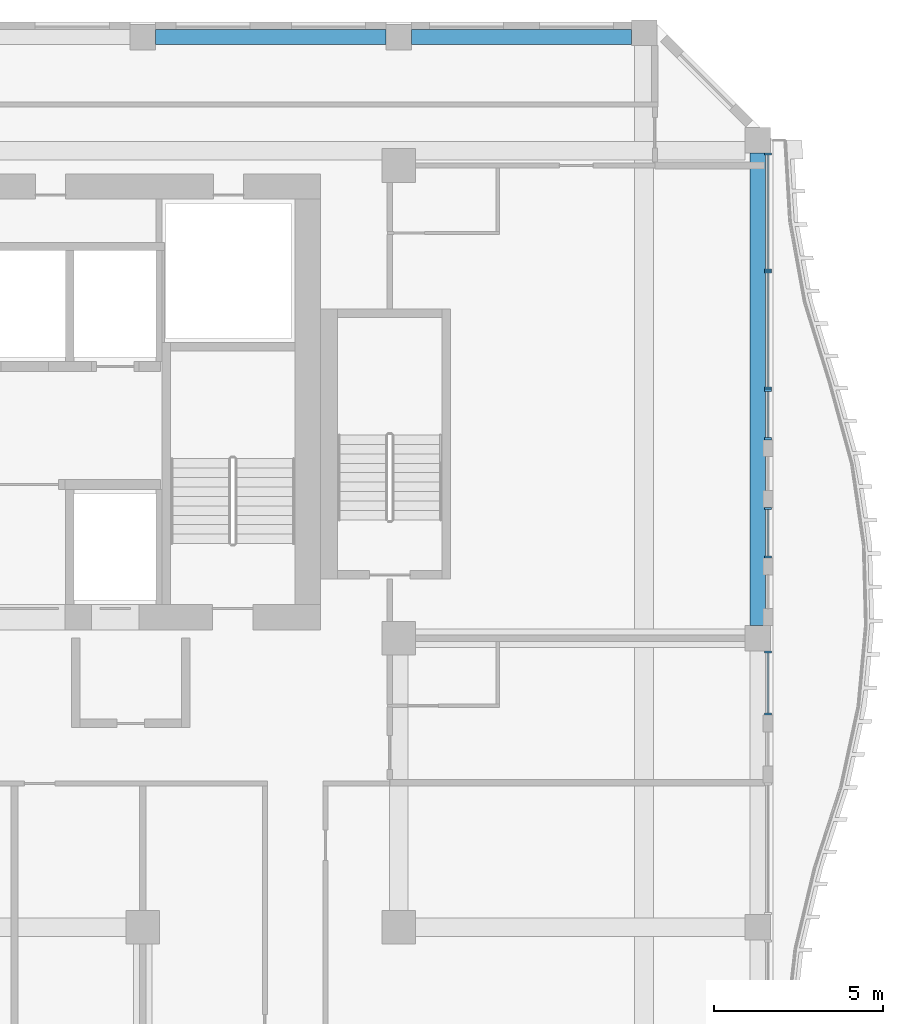
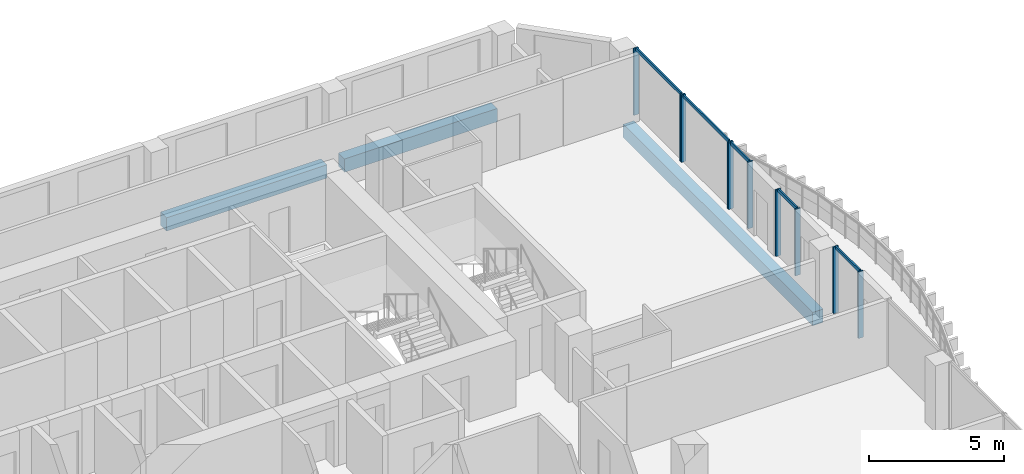
# One storey, part 8 of 22: 15 members, 3 beams, 5 elements without a shape of their own.
"""IFC4 building model written with IfcOpenShell, lengths in metres."""

from ifc_helpers import new_model, si_unit, direction, frame, origin, origin_2d, place, context, subcontext, project, spatial, rectangle, extrude, source, transform, mapped, material, material_profile, profile_set, type_object, element, aggregate, save


model = new_model("IFC4")

# Units and contexts
model_context = context("Model", 3, precision=1e-05, world=origin(), true_north=direction((0.0, 1.0)))
body_context = subcontext(model_context, "Body", "Model", "MODEL_VIEW")
ifc_project = project(units=[si_unit("LENGTHUNIT", "METRE"), si_unit("AREAUNIT", "SQUARE_METRE"), si_unit("VOLUMEUNIT", "CUBIC_METRE"), si_unit("PLANEANGLEUNIT", "RADIAN"), si_unit("MASSUNIT", "GRAM", prefix="KILO")], contexts=[model_context])

# Site, building, storey
site_placement = place(None, origin())
site = spatial("IfcSite", under=ifc_project, at=site_placement, CompositionType="ELEMENT")
building_placement = place(site_placement, origin())
building = spatial("IfcBuilding", under=site, at=building_placement, Name="Kilnfold Tower and Market Hall", CompositionType="ELEMENT")
storey_placement = place(building_placement, frame((0.0, 0.0, 220.300048828125)))
storey = spatial("IfcBuildingStorey", under=building, at=storey_placement, Name="L54", CompositionType="ELEMENT", Elevation=220.300048828125)

# Beams
ifc_material_1 = material(Name="Concrete C45", Category="concrete")
ifc_material_profile_1 = material_profile(ifc_material_1, rectangle(XDim=0.449951171875, YDim=0.60009765625, at=origin_2d()), Name="RC 450x600")
ifc_profile_set_1 = profile_set([ifc_material_profile_1], Name="Concrete C45")
beam_type = type_object("IfcBeamType", Name="EDGE BEAM 450X600 C45", PredefinedType="BEAM", material=ifc_profile_set_1)
shared_shape_1 = source(origin(), body_context, "Body", "SweptSolid", [
    extrude(rectangle(XDim=0.449951171875, YDim=0.60009765625, at=origin_2d()), origin(), (0.0, 0.0, 1.0), 6.83349609375),
])
beam_1_placement = place(storey_placement, frame((12.958251953125, 25.800048828125, -0.580078125), z_axis=(1.0, 0.0, 0.0), x_axis=(0.0, 1.0, 0.0)))
element("IfcBeam", 1, at=beam_1_placement, inside=storey, type_object=beam_type, Name="Beam EB600-B6.58", PredefinedType="BEAM", context=body_context, shape_type="MappedRepresentation", body=[
    mapped(shared_shape_1, transform((0.0, 0.0, 0.0))),
])
shared_shape_2 = source(origin(), body_context, "Body", "SweptSolid", [
    extrude(rectangle(XDim=0.449951171875, YDim=0.60009765625, at=origin_2d()), origin(), (0.0, 0.0, 1.0), 6.51513671875),
])
beam_2_placement = place(storey_placement, frame((20.541748046875, 25.800048828125, -0.580078125), z_axis=(1.0, 0.0, 0.0), x_axis=(0.0, 1.0, 0.0)))
element("IfcBeam", 2, at=beam_2_placement, inside=storey, type_object=beam_type, Name="Beam EB600-B6.59", PredefinedType="BEAM", context=body_context, shape_type="MappedRepresentation", body=[
    mapped(shared_shape_2, transform((0.0, 0.0, 0.0))),
])
shared_shape_3 = source(origin(), body_context, "Body", "SweptSolid", [
    extrude(rectangle(XDim=0.449951171875, YDim=0.60009765625, at=origin_2d()), origin(), (0.0, 0.0, 1.0), 14.0),
])
beam_3_placement = place(storey_placement, frame((30.800048828125, 8.375, -0.580078125), z_axis=(0.0, 1.0, 0.0), x_axis=(-1.0, 0.0, 0.0)))
element("IfcBeam", 3, at=beam_3_placement, inside=storey, type_object=beam_type, Name="Beam EB600-B6.74", PredefinedType="BEAM", context=body_context, shape_type="MappedRepresentation", body=[
    mapped(shared_shape_3, transform((0.0, 0.0, 0.0))),
])

# Curtain wall, members
ifc_material_2 = material(Name="Aluminium and double glazing", Category="aluminium")
curtain_wall_type = type_object("IfcCurtainWallType", Name="CW GARDEN HOTEL WINTER GARDEN", PredefinedType="NOTDEFINED", material=ifc_material_2)
curtain_wall_1_placement = place(storey_placement, origin())
curtain_wall_1 = element("IfcCurtainWall", 4, at=curtain_wall_1_placement, inside=storey, type_object=curtain_wall_type, Name="Curtain wall CW5 L54 E", PredefinedType="NOTDEFINED")
ifc_material_3 = material(Name="Aluminium", Category="aluminium")
ifc_material_profile_2 = material_profile(ifc_material_3, rectangle(XDim=0.06494140625, YDim=0.2099609375, at=origin_2d()), Name="MULLION 65x210")
ifc_profile_set_2 = profile_set([ifc_material_profile_2], Name="Aluminium")
member_type_1 = type_object("IfcMemberType", Name="MULLION 65X210", PredefinedType="MULLION", material=ifc_profile_set_2)
shared_shape_4 = source(origin(), body_context, "Body", "SweptSolid", [
    extrude(rectangle(XDim=0.06494140625, YDim=0.2099609375, at=origin_2d()), origin(), (0.0, 0.0, 1.0), 3.0),
])
member_1_placement = place(storey_placement, frame((31.10009765625, 5.751220703125, 0.0), z_axis=(0.0, 0.0, 1.0), x_axis=(0.0, 1.0, 0.0)))
member_1 = element("IfcMember", 5, at=member_1_placement, type_object=member_type_1, Name="CW5 mullion 1", PredefinedType="MULLION", context=body_context, shape_type="MappedRepresentation", body=[
    mapped(shared_shape_4, transform((0.0, 0.0, 0.0))),
])
member_2_placement = place(storey_placement, frame((31.10009765625, 7.592529296875, 0.0), z_axis=(0.0, 0.0, 1.0), x_axis=(0.0, 1.0, 0.0)))
member_2 = element("IfcMember", 6, at=member_2_placement, type_object=member_type_1, Name="CW5 mullion 2", PredefinedType="MULLION", context=body_context, shape_type="MappedRepresentation", body=[
    mapped(shared_shape_4, transform((0.0, 0.0, 0.0))),
])

curtain_wall_2_placement = place(storey_placement, origin())
curtain_wall_2 = element("IfcCurtainWall", 7, at=curtain_wall_2_placement, inside=storey, type_object=curtain_wall_type, Name="Curtain wall CW5 L54 E", PredefinedType="NOTDEFINED")
member_3_placement = place(storey_placement, frame((31.10009765625, 10.407470703125, 0.0), z_axis=(0.0, 0.0, 1.0), x_axis=(0.0, 1.0, 0.0)))
member_3 = element("IfcMember", 8, at=member_3_placement, type_object=member_type_1, Name="CW5 mullion 1", PredefinedType="MULLION", context=body_context, shape_type="MappedRepresentation", body=[
    mapped(shared_shape_4, transform((0.0, 0.0, 0.0))),
])
member_4_placement = place(storey_placement, frame((31.10009765625, 11.842529296875, 0.0), z_axis=(0.0, 0.0, 1.0), x_axis=(0.0, 1.0, 0.0)))
member_4 = element("IfcMember", 9, at=member_4_placement, type_object=member_type_1, Name="CW5 mullion 2", PredefinedType="MULLION", context=body_context, shape_type="MappedRepresentation", body=[
    mapped(shared_shape_4, transform((0.0, 0.0, 0.0))),
])

curtain_wall_3_placement = place(storey_placement, origin())
curtain_wall_3 = element("IfcCurtainWall", 10, at=curtain_wall_3_placement, inside=storey, type_object=curtain_wall_type, Name="Curtain wall CW5 L54 E", PredefinedType="NOTDEFINED")
member_5_placement = place(storey_placement, frame((31.10009765625, 13.907470703125, 0.0), z_axis=(0.0, 0.0, 1.0), x_axis=(0.0, 1.0, 0.0)))
member_5 = element("IfcMember", 11, at=member_5_placement, type_object=member_type_1, Name="CW5 mullion 1", PredefinedType="MULLION", context=body_context, shape_type="MappedRepresentation", body=[
    mapped(shared_shape_4, transform((0.0, 0.0, 0.0))),
])
member_6_placement = place(storey_placement, frame((31.10009765625, 15.342529296875, 0.0), z_axis=(0.0, 0.0, 1.0), x_axis=(0.0, 1.0, 0.0)))
member_6 = element("IfcMember", 12, at=member_6_placement, type_object=member_type_1, Name="CW5 mullion 2", PredefinedType="MULLION", context=body_context, shape_type="MappedRepresentation", body=[
    mapped(shared_shape_4, transform((0.0, 0.0, 0.0))),
])

curtain_wall_4_placement = place(storey_placement, origin())
curtain_wall_4 = element("IfcCurtainWall", 13, at=curtain_wall_4_placement, inside=storey, type_object=curtain_wall_type, Name="Curtain wall CW5 L54 E", PredefinedType="NOTDEFINED")
member_7_placement = place(storey_placement, frame((31.10009765625, 15.407470703125, 0.0), z_axis=(0.0, 0.0, 1.0), x_axis=(0.0, 1.0, 0.0)))
member_7 = element("IfcMember", 14, at=member_7_placement, type_object=member_type_1, Name="CW5 mullion 1", PredefinedType="MULLION", context=body_context, shape_type="MappedRepresentation", body=[
    mapped(shared_shape_4, transform((0.0, 0.0, 0.0))),
])
member_8_placement = place(storey_placement, frame((31.10009765625, 18.842529296875, 0.0), z_axis=(0.0, 0.0, 1.0), x_axis=(0.0, 1.0, 0.0)))
member_8 = element("IfcMember", 15, at=member_8_placement, type_object=member_type_1, Name="CW5 mullion 2", PredefinedType="MULLION", context=body_context, shape_type="MappedRepresentation", body=[
    mapped(shared_shape_4, transform((0.0, 0.0, 0.0))),
])

curtain_wall_5_placement = place(storey_placement, origin())
curtain_wall_5 = element("IfcCurtainWall", 16, at=curtain_wall_5_placement, inside=storey, type_object=curtain_wall_type, Name="Curtain wall CW5 L54 E", PredefinedType="NOTDEFINED")
member_9_placement = place(storey_placement, frame((31.10009765625, 18.907470703125, 0.0), z_axis=(0.0, 0.0, 1.0), x_axis=(0.0, 1.0, 0.0)))
member_9 = element("IfcMember", 17, at=member_9_placement, type_object=member_type_1, Name="CW5 mullion 1", PredefinedType="MULLION", context=body_context, shape_type="MappedRepresentation", body=[
    mapped(shared_shape_4, transform((0.0, 0.0, 0.0))),
])
member_10_placement = place(storey_placement, frame((31.10009765625, 22.342529296875, 0.0), z_axis=(0.0, 0.0, 1.0), x_axis=(0.0, 1.0, 0.0)))
member_10 = element("IfcMember", 18, at=member_10_placement, type_object=member_type_1, Name="CW5 mullion 2", PredefinedType="MULLION", context=body_context, shape_type="MappedRepresentation", body=[
    mapped(shared_shape_4, transform((0.0, 0.0, 0.0))),
])

# Member
ifc_material_4 = material(Name="Aluminium", Category="aluminium")
ifc_material_profile_3 = material_profile(ifc_material_4, rectangle(XDim=0.06494140625, YDim=0.14990234375, at=origin_2d()), Name="TRANSOM 65x150")
ifc_profile_set_3 = profile_set([ifc_material_profile_3], Name="Aluminium")
member_type_2 = type_object("IfcMemberType", Name="TRANSOM 65X150", PredefinedType="USERDEFINED", material=ifc_profile_set_3)
shared_shape_5 = source(origin(), body_context, "Body", "SweptSolid", [
    extrude(rectangle(XDim=0.06494140625, YDim=0.14990234375, at=origin_2d()), origin(), (0.0, 0.0, 1.0), 3.3701171875),
])
member_11_placement = place(storey_placement, frame((31.10009765625, 15.43994140625, 2.967529296875), z_axis=(0.0, 1.0, 0.0), x_axis=(-1.0, 0.0, 0.0)))
member_11 = element("IfcMember", 19, at=member_11_placement, type_object=member_type_2, Name="CW5 transom 1.2", ObjectType="TRANSOM", PredefinedType="USERDEFINED", context=body_context, shape_type="MappedRepresentation", body=[
    mapped(shared_shape_5, transform((0.0, 0.0, 0.0))),
])

aggregate(curtain_wall_4, [member_7, member_8, member_11])

member_12_placement = place(storey_placement, frame((31.10009765625, 18.93994140625, 2.967529296875), z_axis=(0.0, 1.0, 0.0), x_axis=(-1.0, 0.0, 0.0)))
member_12 = element("IfcMember", 20, at=member_12_placement, type_object=member_type_2, Name="CW5 transom 1.2", ObjectType="TRANSOM", PredefinedType="USERDEFINED", context=body_context, shape_type="MappedRepresentation", body=[
    mapped(shared_shape_5, transform((0.0, 0.0, 0.0))),
])

aggregate(curtain_wall_5, [member_9, member_10, member_12])

shared_shape_6 = source(origin(), body_context, "Body", "SweptSolid", [
    extrude(rectangle(XDim=0.06494140625, YDim=0.14990234375, at=origin_2d()), origin(), (0.0, 0.0, 1.0), 1.7763671875),
])
member_13_placement = place(storey_placement, frame((31.10009765625, 5.78369140625, 2.967529296875), z_axis=(0.0, 1.0, 0.0), x_axis=(-1.0, 0.0, 0.0)))
member_13 = element("IfcMember", 21, at=member_13_placement, type_object=member_type_2, Name="CW5 transom 1.2", ObjectType="TRANSOM", PredefinedType="USERDEFINED", context=body_context, shape_type="MappedRepresentation", body=[
    mapped(shared_shape_6, transform((0.0, 0.0, 0.0))),
])

aggregate(curtain_wall_1, [member_1, member_2, member_13])

shared_shape_7 = source(origin(), body_context, "Body", "SweptSolid", [
    extrude(rectangle(XDim=0.06494140625, YDim=0.14990234375, at=origin_2d()), origin(), (0.0, 0.0, 1.0), 1.3701171875),
])
member_14_placement = place(storey_placement, frame((31.10009765625, 10.43994140625, 2.967529296875), z_axis=(0.0, 1.0, 0.0), x_axis=(-1.0, 0.0, 0.0)))
member_14 = element("IfcMember", 22, at=member_14_placement, type_object=member_type_2, Name="CW5 transom 1.2", ObjectType="TRANSOM", PredefinedType="USERDEFINED", context=body_context, shape_type="MappedRepresentation", body=[
    mapped(shared_shape_7, transform((0.0, 0.0, 0.0))),
])

aggregate(curtain_wall_2, [member_3, member_4, member_14])

member_15_placement = place(storey_placement, frame((31.10009765625, 13.93994140625, 2.967529296875), z_axis=(0.0, 1.0, 0.0), x_axis=(-1.0, 0.0, 0.0)))
member_15 = element("IfcMember", 23, at=member_15_placement, type_object=member_type_2, Name="CW5 transom 1.2", ObjectType="TRANSOM", PredefinedType="USERDEFINED", context=body_context, shape_type="MappedRepresentation", body=[
    mapped(shared_shape_7, transform((0.0, 0.0, 0.0))),
])

aggregate(curtain_wall_3, [member_5, member_6, member_15])

save(model, "model.ifc")
